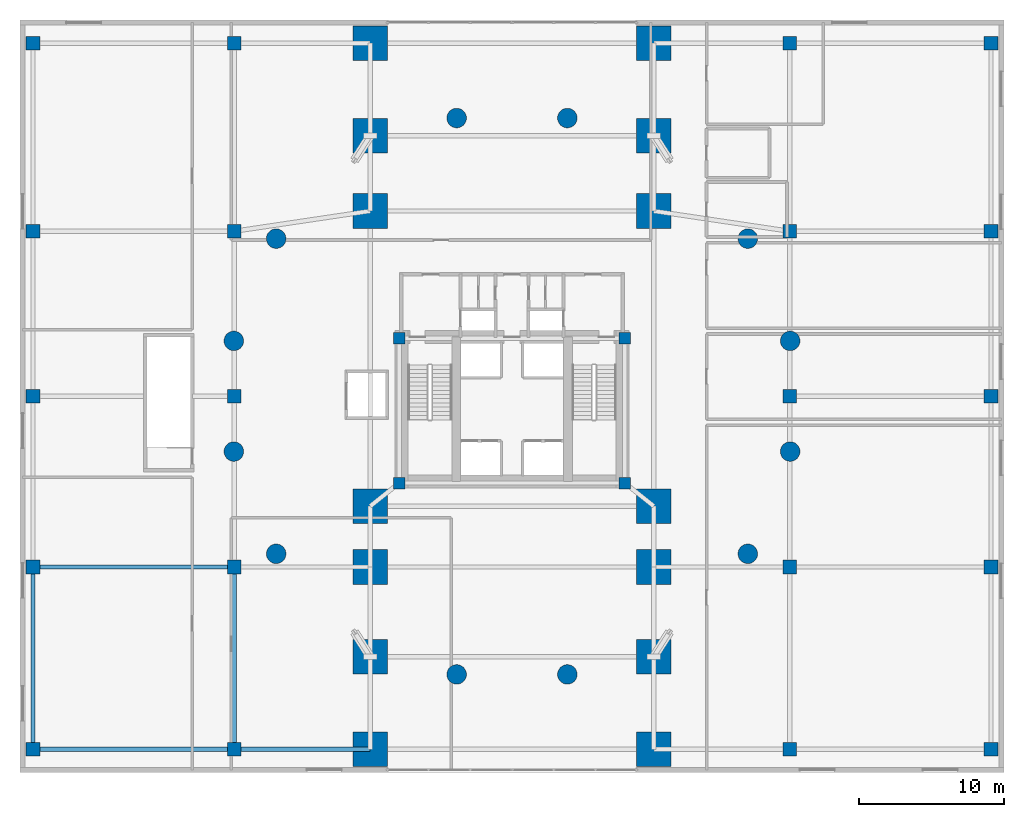
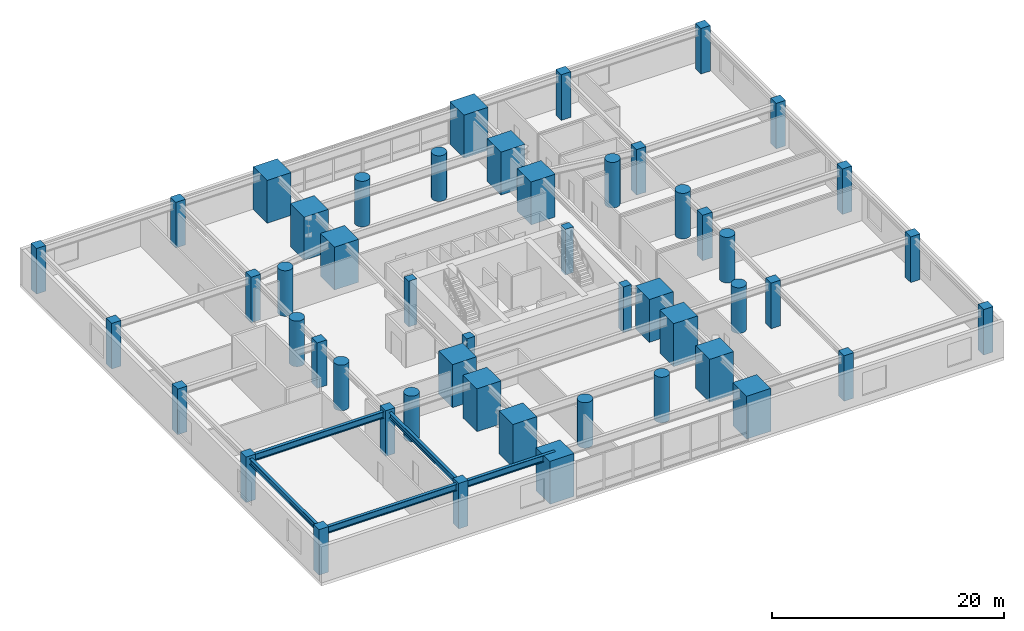
# One storey, part 1 of 17: 50 columns, 5 beams.
"""IFC4 building model written with IfcOpenShell, lengths in metres."""

from ifc_helpers import new_model, si_unit, direction, frame, origin, origin_2d, place, context, subcontext, project, spatial, rectangle, circle, i_section, extrude, material, material_profile, profile_set, type_object, element, save


model = new_model("IFC4")

# Units and contexts
model_context = context("Model", 3, precision=1e-05, world=origin(), true_north=direction((0.0, 1.0)))
body_context = subcontext(model_context, "Body", "Model", "MODEL_VIEW")
ifc_project = project(units=[si_unit("LENGTHUNIT", "METRE"), si_unit("AREAUNIT", "SQUARE_METRE"), si_unit("VOLUMEUNIT", "CUBIC_METRE"), si_unit("PLANEANGLEUNIT", "RADIAN"), si_unit("MASSUNIT", "GRAM", prefix="KILO"), si_unit("THERMODYNAMICTEMPERATUREUNIT", "KELVIN"), si_unit("POWERUNIT", "WATT")], contexts=[model_context])

# Site, building, storey
site_placement = place(None, origin())
site = spatial("IfcSite", under=ifc_project, at=site_placement, CompositionType="ELEMENT")
building_placement = place(site_placement, origin())
building = spatial("IfcBuilding", under=site, at=building_placement, Name="Ocrelia Relay Tower", CompositionType="ELEMENT")
storey_placement = place(building_placement, frame((0.0, 0.0, 25.199951171875)))
storey = spatial("IfcBuildingStorey", under=building, at=storey_placement, Name="L05", CompositionType="ELEMENT", Elevation=25.199951171875)

# Columns
ifc_material_1 = material(Name="Concrete C60/75", Category="concrete")
ifc_material_profile_1 = material_profile(ifc_material_1, rectangle(XDim=0.949951171875, YDim=0.949951171875, at=origin_2d()), Name="RC-COL-950x950")
ifc_profile_set_1 = profile_set([ifc_material_profile_1], Name="Concrete C60/75")
column_type_1 = type_object("IfcColumnType", Name="COL-CC-950", PredefinedType="COLUMN", material=ifc_profile_set_1)
for number, where, z_axis, x_axis, name in (
    (1, (0.89990234375, 1.60009765625, 0.0), (0.0, 0.0, 1.0), (1.0, 0.0, 0.0), "L05 Podium Column PC01"),
    (2, (0.89990234375, 14.199951171875, 0.0), (0.0, 0.0, 1.0), (1.0, 0.0, 0.0), "L05 Podium Column PC02"),
    (3, (0.89990234375, 26.0, 0.0), (0.0, 0.0, 1.0), (1.0, 0.0, 0.0), "L05 Podium Column PC03"),
    (4, (0.89990234375, 37.39990234375, 0.0), (0.0, 0.0, 1.0), (1.0, 0.0, 0.0), "L05 Podium Column PC04"),
    (5, (0.89990234375, 50.39990234375, 0.0), (0.0, 0.0, 1.0), (1.0, 0.0, 0.0), "L05 Podium Column PC05"),
    (6, (14.800048828125, 1.60009765625, 0.0), (0.0, 0.0, 1.0), (1.0, 0.0, 0.0), "L05 Podium Column PC06"),
    (7, (14.800048828125, 14.199951171875, 0.0), (0.0, 0.0, 1.0), (1.0, 0.0, 0.0), "L05 Podium Column PC07"),
    (8, (14.800048828125, 26.0, 0.0), (0.0, 0.0, 1.0), (1.0, 0.0, 0.0), "L05 Podium Column PC08"),
    (9, (14.800048828125, 37.39990234375, 0.0), (0.0, 0.0, 1.0), (1.0, 0.0, 0.0), "L05 Podium Column PC09"),
    (10, (14.800048828125, 50.39990234375, 0.0), (0.0, 0.0, 1.0), (1.0, 0.0, 0.0), "L05 Podium Column PC10"),
    (11, (53.199951171875, 1.60009765625, 0.0), (0.0, 0.0, 1.0), (1.0, 0.0, 0.0), "L05 Podium Column PC11"),
    (12, (53.199951171875, 14.199951171875, 0.0), (0.0, 0.0, 1.0), (1.0, 0.0, 0.0), "L05 Podium Column PC12"),
    (13, (53.199951171875, 26.0, 0.0), (0.0, 0.0, 1.0), (1.0, 0.0, 0.0), "L05 Podium Column PC13"),
    (14, (53.199951171875, 37.39990234375, 0.0), (0.0, 0.0, 1.0), (1.0, 0.0, 0.0), "L05 Podium Column PC14"),
    (15, (53.199951171875, 50.39990234375, 0.0), (0.0, 0.0, 1.0), (1.0, 0.0, 0.0), "L05 Podium Column PC15"),
    (16, (67.10009765625, 1.60009765625, 0.0), (0.0, 0.0, 1.0), (1.0, 0.0, 0.0), "L05 Podium Column PC16"),
    (17, (67.10009765625, 14.199951171875, 0.0), (0.0, 0.0, 1.0), (1.0, 0.0, 0.0), "L05 Podium Column PC17"),
    (18, (67.10009765625, 26.0, 0.0), (0.0, 0.0, 1.0), (1.0, 0.0, 0.0), "L05 Podium Column PC18"),
    (19, (67.10009765625, 37.39990234375, 0.0), (0.0, 0.0, 1.0), (1.0, 0.0, 0.0), "L05 Podium Column PC19"),
    (20, (67.10009765625, 50.39990234375, 0.0), (0.0, 0.0, 1.0), (1.0, 0.0, 0.0), "L05 Podium Column PC20"),
):
    element("IfcColumn", number, at=place(storey_placement, frame(where, z_axis=z_axis, x_axis=x_axis)), inside=storey, type_object=column_type_1, Name=name, PredefinedType="COLUMN", context=body_context, shape_type="SweptSolid", body=[
        extrude(rectangle(XDim=0.949951171875, YDim=0.949951171875, at=origin_2d()), origin(), (0.0, 0.0, 1.0), 4.800048828125),
    ])
ifc_material_2 = material(Name="Concrete C70/85", Category="concrete")
ifc_material_profile_2 = material_profile(ifc_material_2, circle(Radius=0.675048828125, at=origin_2d()), Name="RC-CIR-1350")
ifc_profile_set_2 = profile_set([ifc_material_profile_2], Name="Concrete C70/85")
column_type_2 = type_object("IfcColumnType", Name="COL-CT-1350", PredefinedType="COLUMN", material=ifc_profile_set_2)
for number, where, z_axis, x_axis, name in (
    (21, (53.223388671875, 29.82373046875, 0.0), (0.0, 0.0, 1.0), (1.0, 0.0, 0.0), "L05 Tower Ring Column Z1-01"),
    (22, (50.296875, 36.88916015625, 0.0), (0.0, 0.0, 1.0), (1.0, 0.0, 0.0), "L05 Tower Ring Column Z1-02"),
    (23, (37.82373046875, 45.223388671875, 0.0), (0.0, 0.0, 1.0), (1.0, 0.0, 0.0), "L05 Tower Ring Column Z1-04"),
    (24, (30.17626953125, 45.223388671875, 0.0), (0.0, 0.0, 1.0), (1.0, 0.0, 0.0), "L05 Tower Ring Column Z1-05"),
    (25, (17.703125, 36.88916015625, 0.0), (0.0, 0.0, 1.0), (1.0, 0.0, 0.0), "L05 Tower Ring Column Z1-07"),
    (26, (14.776611328125, 29.82373046875, 0.0), (0.0, 0.0, 1.0), (1.0, 0.0, 0.0), "L05 Tower Ring Column Z1-08"),
    (27, (14.776611328125, 22.17626953125, 0.0), (0.0, 0.0, 1.0), (1.0, 0.0, 0.0), "L05 Tower Ring Column Z1-09"),
    (28, (17.703125, 15.11083984375, 0.0), (0.0, 0.0, 1.0), (1.0, 0.0, 0.0), "L05 Tower Ring Column Z1-10"),
    (29, (30.17626953125, 6.776611328125, 0.0), (0.0, 0.0, 1.0), (1.0, 0.0, 0.0), "L05 Tower Ring Column Z1-12"),
    (30, (37.82373046875, 6.776611328125, 0.0), (0.0, 0.0, 1.0), (1.0, 0.0, 0.0), "L05 Tower Ring Column Z1-13"),
    (31, (50.296875, 15.11083984375, 0.0), (0.0, 0.0, 1.0), (1.0, 0.0, 0.0), "L05 Tower Ring Column Z1-15"),
    (32, (53.223388671875, 22.17626953125, 0.0), (0.0, 0.0, 1.0), (1.0, 0.0, 0.0), "L05 Tower Ring Column Z1-16"),
):
    element("IfcColumn", number, at=place(storey_placement, frame(where, z_axis=z_axis, x_axis=x_axis)), inside=storey, type_object=column_type_2, Name=name, PredefinedType="COLUMN", context=body_context, shape_type="SweptSolid", body=[
        extrude(circle(Radius=0.675048828125, at=origin_2d()), origin(), (0.0, 0.0, 1.0), 4.800048828125),
    ])
ifc_material_profile_3 = material_profile(ifc_material_2, rectangle(XDim=2.39990234375, YDim=2.39990234375, at=origin_2d()), Name="RC-PIER-2400x2400")
ifc_profile_set_3 = profile_set([ifc_material_profile_3], Name="Concrete C70/85")
column_type_3 = type_object("IfcColumnType", Name="COL-PIER-2400", PredefinedType="USERDEFINED", material=ifc_profile_set_3)
for number, where, z_axis, x_axis, name in (
    (33, (24.199951171875, 1.60009765625, 0.0), (0.0, 0.0, 1.0), (1.0, 0.0, 0.0), "L05 Portal Arch Pier P01"),
    (34, (24.199951171875, 8.0, 0.0), (0.0, 0.0, 1.0), (1.0, 0.0, 0.0), "L05 Portal Arch Pier P02"),
    (35, (24.199951171875, 14.199951171875, 0.0), (0.0, 0.0, 1.0), (1.0, 0.0, 0.0), "L05 Portal Arch Pier P03"),
    (36, (24.199951171875, 18.39990234375, 0.0), (0.0, 0.0, 1.0), (1.0, 0.0, 0.0), "L05 Portal Arch Pier P04"),
    (37, (24.199951171875, 38.800048828125, 0.0), (0.0, 0.0, 1.0), (1.0, 0.0, 0.0), "L05 Portal Arch Pier P05"),
    (38, (24.199951171875, 44.0, 0.0), (0.0, 0.0, 1.0), (1.0, 0.0, 0.0), "L05 Portal Arch Pier P06"),
    (39, (24.199951171875, 50.39990234375, 0.0), (0.0, 0.0, 1.0), (1.0, 0.0, 0.0), "L05 Portal Arch Pier P07"),
    (40, (43.800048828125, 1.60009765625, 0.0), (0.0, 0.0, 1.0), (1.0, 0.0, 0.0), "L05 Portal Arch Pier P08"),
    (41, (43.800048828125, 8.0, 0.0), (0.0, 0.0, 1.0), (1.0, 0.0, 0.0), "L05 Portal Arch Pier P09"),
    (42, (43.800048828125, 14.199951171875, 0.0), (0.0, 0.0, 1.0), (1.0, 0.0, 0.0), "L05 Portal Arch Pier P10"),
    (43, (43.800048828125, 18.39990234375, 0.0), (0.0, 0.0, 1.0), (1.0, 0.0, 0.0), "L05 Portal Arch Pier P11"),
    (44, (43.800048828125, 38.800048828125, 0.0), (0.0, 0.0, 1.0), (1.0, 0.0, 0.0), "L05 Portal Arch Pier P12"),
    (45, (43.800048828125, 44.0, 0.0), (0.0, 0.0, 1.0), (1.0, 0.0, 0.0), "L05 Portal Arch Pier P13"),
    (46, (43.800048828125, 50.39990234375, 0.0), (0.0, 0.0, 1.0), (1.0, 0.0, 0.0), "L05 Portal Arch Pier P14"),
):
    element("IfcColumn", number, at=place(storey_placement, frame(where, z_axis=z_axis, x_axis=x_axis)), inside=storey, type_object=column_type_3, Name=name, ObjectType="PORTAL PIER", PredefinedType="USERDEFINED", context=body_context, shape_type="SweptSolid", body=[
        extrude(rectangle(XDim=2.39990234375, YDim=2.39990234375, at=origin_2d()), origin(), (0.0, 0.0, 1.0), 4.52001953125),
    ])
ifc_material_profile_4 = material_profile(ifc_material_1, rectangle(XDim=0.800048828125, YDim=0.800048828125, at=origin_2d()), Name="RC-COL-800x800")
ifc_profile_set_4 = profile_set([ifc_material_profile_4], Name="Concrete C60/75")
column_type_4 = type_object("IfcColumnType", Name="COL-PILASTER-800", PredefinedType="PILASTER", material=ifc_profile_set_4)
for number, where, z_axis, x_axis, name in (
    (47, (26.199951171875, 20.0, 0.0), (0.0, 0.0, 1.0), (1.0, 0.0, 0.0), "L05 Core Corner Pilaster SW"),
    (48, (41.800048828125, 20.0, 0.0), (0.0, 0.0, 1.0), (1.0, 0.0, 0.0), "L05 Core Corner Pilaster SE"),
    (49, (26.199951171875, 30.0, 0.0), (0.0, 0.0, 1.0), (1.0, 0.0, 0.0), "L05 Core Corner Pilaster NW"),
    (50, (41.800048828125, 30.0, 0.0), (0.0, 0.0, 1.0), (1.0, 0.0, 0.0), "L05 Core Corner Pilaster NE"),
):
    element("IfcColumn", number, at=place(storey_placement, frame(where, z_axis=z_axis, x_axis=x_axis)), inside=storey, type_object=column_type_4, Name=name, PredefinedType="PILASTER", context=body_context, shape_type="SweptSolid", body=[
        extrude(rectangle(XDim=0.800048828125, YDim=0.800048828125, at=origin_2d()), origin(), (0.0, 0.0, 1.0), 4.800048828125),
    ])

# Beams
ifc_material_3 = material(Name="Steel S355", Category="steel")
ifc_material_profile_5 = material_profile(ifc_material_3, i_section(OverallWidth=0.300048828125, OverallDepth=0.60009765625, WebThickness=0.015380859375, FlangeThickness=0.030029296875, FilletRadius=0.027099609375, at=origin_2d()), Name="HEB 600")
ifc_profile_set_5 = profile_set([ifc_material_profile_5], Name="Steel S355")
beam_type_1 = type_object("IfcBeamType", Name="BM-HEB600", PredefinedType="BEAM", material=ifc_profile_set_5)
for number, where, z_axis, x_axis, name in (
    (51, (0.89990234375, 1.60009765625, 4.219970703125), (0.0, 1.0, 0.0), (-1.0, 0.0, 0.0), "L05 Podium Span Girder W-1"),
    (52, (14.800048828125, 1.60009765625, 4.219970703125), (0.0, 1.0, 0.0), (-1.0, 0.0, 0.0), "L05 Podium Span Girder IW-1"),
):
    element("IfcBeam", number, at=place(storey_placement, frame(where, z_axis=z_axis, x_axis=x_axis)), inside=storey, type_object=beam_type_1, Name=name, PredefinedType="BEAM", context=body_context, shape_type="SweptSolid", body=[
        extrude(i_section(OverallWidth=0.300048828125, OverallDepth=0.60009765625, WebThickness=0.015380859375, FlangeThickness=0.030029296875, FilletRadius=0.027099609375, at=origin_2d()), origin(), (0.0, 0.0, 1.0), 12.599853515625),
    ])
ifc_material_profile_6 = material_profile(ifc_material_3, i_section(OverallWidth=0.300048828125, OverallDepth=0.699951171875, WebThickness=0.01708984375, FlangeThickness=0.031982421875, FilletRadius=0.027099609375, at=origin_2d()), Name="HEB 700")
ifc_profile_set_6 = profile_set([ifc_material_profile_6], Name="Steel S355")
beam_type_2 = type_object("IfcBeamType", Name="BM-HEB700", PredefinedType="BEAM", material=ifc_profile_set_6)
beam_1_placement = place(storey_placement, frame((0.89990234375, 1.60009765625, 4.170166015625), z_axis=(1.0, 0.0, 0.0), x_axis=(0.0, 1.0, 0.0)))
element("IfcBeam", 53, at=beam_1_placement, inside=storey, type_object=beam_type_2, Name="L05 West Outer Podium Girder S", PredefinedType="BEAM", context=body_context, shape_type="SweptSolid", body=[
    extrude(i_section(OverallWidth=0.300048828125, OverallDepth=0.699951171875, WebThickness=0.01708984375, FlangeThickness=0.031982421875, FilletRadius=0.027099609375, at=origin_2d()), origin(), (0.0, 0.0, 1.0), 13.900146484375),
])
beam_2_placement = place(storey_placement, frame((14.800048828125, 1.60009765625, 4.170166015625), z_axis=(1.0, 0.0, 0.0), x_axis=(0.0, 1.0, 0.0)))
element("IfcBeam", 54, at=beam_2_placement, inside=storey, type_object=beam_type_2, Name="L05 West Inner Podium Girder S", PredefinedType="BEAM", context=body_context, shape_type="SweptSolid", body=[
    extrude(i_section(OverallWidth=0.300048828125, OverallDepth=0.699951171875, WebThickness=0.01708984375, FlangeThickness=0.031982421875, FilletRadius=0.027099609375, at=origin_2d()), origin(), (0.0, 0.0, 1.0), 9.39990234375),
])
beam_3_placement = place(storey_placement, frame((0.89990234375, 14.199951171875, 4.170166015625), z_axis=(1.0, 0.0, 0.0), x_axis=(0.0, 1.0, 0.0)))
element("IfcBeam", 55, at=beam_3_placement, inside=storey, type_object=beam_type_2, Name="L05 West Outer Podium Girder M1", PredefinedType="BEAM", context=body_context, shape_type="SweptSolid", body=[
    extrude(i_section(OverallWidth=0.300048828125, OverallDepth=0.699951171875, WebThickness=0.01708984375, FlangeThickness=0.031982421875, FilletRadius=0.027099609375, at=origin_2d()), origin(), (0.0, 0.0, 1.0), 13.900146484375),
])

save(model, "model.ifc")
